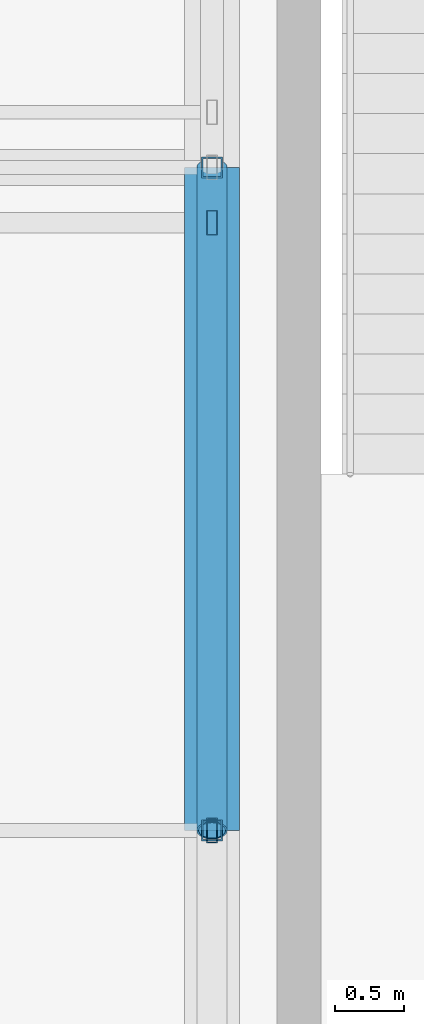
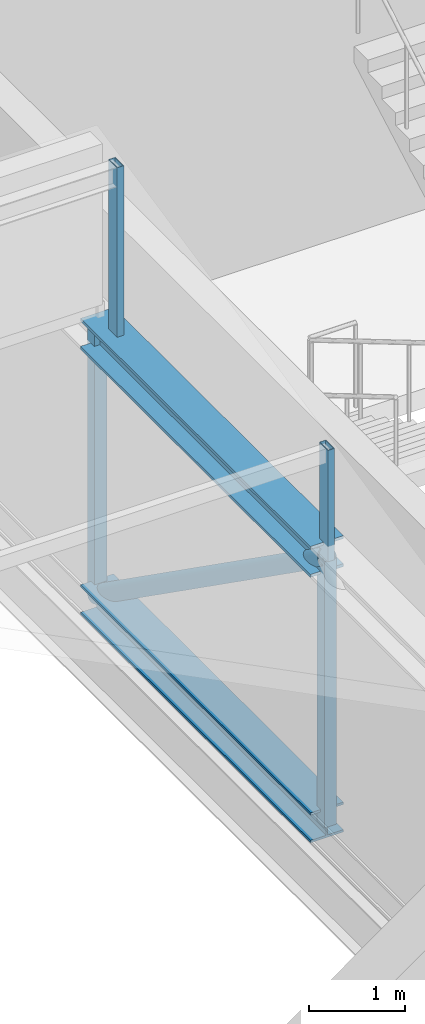
# One storey, part 63 of 136: 5 members, 2 beams.
"""IFC4 building model written with IfcOpenShell, lengths in metres."""

import ifcopenshell
import ifcopenshell.guid

model = None  # the IFC model being written
_history = None  # IfcOwnerHistory: only IFC2X3 demands one
_inside = {}  # id of a spatial element -> (the spatial element, [elements in it])
_under = {}  # id of a project, library or spatial element -> (it, [spatial elements below it])
_declared = {}  # id of a project -> (the project, [libraries it declares])
_typed = {}  # id of a type object -> (the type object, [elements of that type])
_made_of = {}  # id of a material, layer set ... -> (it, [elements and type objects made of it])


def new_model(schema):
    """Start an empty IFC model of exactly this schema.

    Asked for "IFC4X3", IfcOpenShell would pick the latest addendum, in which some entities
    have other attributes; the version numbers below select the first issue.
    IFC2X3 requires an IfcOwnerHistory on every rooted entity: one is made here for all.
    """
    global model, _history
    if schema == "IFC4X3":
        model = ifcopenshell.file(schema_version=(4, 3, 0, 0))
    else:
        model = ifcopenshell.file(schema=schema)
    _inside.clear()
    _under.clear()
    _declared.clear()
    _typed.clear()
    _made_of.clear()
    _history = None
    if model.schema == "IFC2X3":
        org = make("IfcOrganization", Name="unknown")
        user = make(
            "IfcPersonAndOrganization",
            ThePerson=make("IfcPerson", FamilyName="unknown"),
            TheOrganization=org,
        )
        app = make(
            "IfcApplication",
            ApplicationDeveloper=org,
            Version="unknown",
            ApplicationFullName="unknown",
            ApplicationIdentifier="unknown",
        )
        _history = make(
            "IfcOwnerHistory",
            OwningUser=user,
            OwningApplication=app,
            ChangeAction="ADDED",
            CreationDate=0,
        )
    return model


def make(cls, **values):
    """One entity of the class cls with the attributes given. An attribute that is None is left unset."""
    return model.create_entity(
        cls, **{name: value for name, value in values.items() if value is not None}
    )


def rooted(cls, **values):
    """An entity with a GlobalId (a new one), such as an element, a storey or a relation."""
    return make(cls, GlobalId=ifcopenshell.guid.new(), OwnerHistory=_history, **values)


def si_unit(unit_type, name, prefix=None):
    """IfcSIUnit, for example si_unit("LENGTHUNIT", "METRE", prefix="MILLI")."""
    return make("IfcSIUnit", UnitType=unit_type, Prefix=prefix, Name=name)


def assignment(units):
    """IfcUnitAssignment: the units of a project."""
    return None if units is None else make("IfcUnitAssignment", Units=units)


def point(xyz):
    """IfcCartesianPoint."""
    return None if xyz is None else make("IfcCartesianPoint", Coordinates=xyz)


def direction(xyz):
    """IfcDirection."""
    return None if xyz is None else make("IfcDirection", DirectionRatios=xyz)


def frame(location, z_axis=None, x_axis=None):
    """IfcAxis2Placement3D, a coordinate frame: its origin and axes. An axis left out is left unset."""
    return make(
        "IfcAxis2Placement3D",
        Location=point(location),
        Axis=direction(z_axis),
        RefDirection=direction(x_axis),
    )


def frame_2d(location, x_axis=None):
    """IfcAxis2Placement2D, a coordinate frame in the plane: its origin and x axis."""
    return make(
        "IfcAxis2Placement2D", Location=point(location), RefDirection=direction(x_axis)
    )


def origin():
    """The frame at (0, 0, 0) with its axes left unset."""
    return frame((0.0, 0.0, 0.0))


def origin_2d():
    """The frame at (0, 0) in the plane with its x axis left unset."""
    return frame_2d((0.0, 0.0))


def place(relative_to, where):
    """IfcLocalPlacement: puts the frame where relative to a parent placement (None: the world)."""
    return make(
        "IfcLocalPlacement", PlacementRelTo=relative_to, RelativePlacement=where
    )


def context(
    kind, dimensions, precision=None, world=None, true_north=None, identifier=None
):
    """IfcGeometricRepresentationContext, for example the 3D "Model" context."""
    return make(
        "IfcGeometricRepresentationContext",
        ContextIdentifier=identifier,
        ContextType=kind,
        CoordinateSpaceDimension=dimensions,
        Precision=precision,
        WorldCoordinateSystem=world,
        TrueNorth=true_north,
    )


def subcontext(parent, identifier, kind, view, scale=None):
    """IfcGeometricRepresentationSubContext, for example "Body" below "Model"."""
    return make(
        "IfcGeometricRepresentationSubContext",
        ContextIdentifier=identifier,
        ContextType=kind,
        ParentContext=parent,
        TargetScale=scale,
        TargetView=view,
    )


def project(units=None, contexts=None):
    """IfcProject with its units and contexts."""
    return rooted(
        "IfcProject",
        Name="project",
        RepresentationContexts=contexts,
        UnitsInContext=assignment(units),
    )


def spatial(cls, under=None, at=None, **own):
    """A site, building, storey or space (cls), placed at a placement, below another one or the project."""
    s = rooted(cls, ObjectPlacement=at, **own)
    if under is not None:
        _under.setdefault(under.id(), (under, []))[1].append(s)
    return s


def profile(cls, at=None, kind="AREA", **sizes):
    """A parametric profile (cls). Its sizes go by their IFC names, for example OverallWidth=200.0."""
    return make(cls, ProfileType=kind, Position=at, **sizes)


def hollow_rectangle(**sizes):
    """IfcRectangleHollowProfileDef."""
    return profile("IfcRectangleHollowProfileDef", **sizes)


def hollow_circle(**sizes):
    """IfcCircleHollowProfileDef."""
    return profile("IfcCircleHollowProfileDef", **sizes)


def i_section(**sizes):
    """IfcIShapeProfileDef."""
    return profile("IfcIShapeProfileDef", **sizes)


def extrude(swept, where, along, depth):
    """IfcExtrudedAreaSolid: the profile swept, set in the frame where, extruded along a direction by depth."""
    return make(
        "IfcExtrudedAreaSolid",
        SweptArea=swept,
        Position=where,
        ExtrudedDirection=direction(along),
        Depth=depth,
    )


def shape(context_of_items, identifier, shape_type, items):
    """IfcShapeRepresentation: the items that make up one representation, for example the "Body"."""
    return make(
        "IfcShapeRepresentation",
        ContextOfItems=context_of_items,
        RepresentationIdentifier=identifier,
        RepresentationType=shape_type,
        Items=items,
    )


def material(Name=None, Category=None):
    """IfcMaterial."""
    return make("IfcMaterial", Name=Name, Category=Category)


def material_profile(
    of_material, cross_section, Name=None, Category=None, Priority=None
):
    """IfcMaterialProfile: a cross section and its material."""
    return make(
        "IfcMaterialProfile",
        Name=Name,
        Material=of_material,
        Profile=cross_section,
        Priority=Priority,
        Category=Category,
    )


def profile_set(profiles, Name=None, composite=None):
    """IfcMaterialProfileSet."""
    return make(
        "IfcMaterialProfileSet",
        Name=Name,
        MaterialProfiles=profiles,
        CompositeProfile=composite,
    )


def made_of(thing, what):
    """Note that an element or type object is made of a material, layer set ...; save() writes the relation."""
    if what is not None:
        _made_of.setdefault(what.id(), (what, []))[1].append(thing)
    return thing


def type_object(cls, material=None, **own):
    """A type object (cls), such as IfcWallType, which elements share."""
    return made_of(rooted(cls, **own), material)


def element(
    cls,
    number,
    at=None,
    inside=None,
    cuts=None,
    type_object=None,
    material=None,
    context=None,
    identifier="Body",
    shape_type=None,
    held_by="IfcProductDefinitionShape",
    body=None,
    shapes=None,
    **own,
):
    """One element of the class cls, such as IfcWall. Its Tag is "e" and its number.

    at: its placement. inside: the storey or other place that contains it. cuts: it is an
    opening in that element (IfcRelVoidsElement). A single representation is given by context,
    identifier, shape_type and body (its items); several are given by shapes. held_by: the class
    of the entity that holds the representations. save() writes the other relations.
    """
    e = rooted(cls, Tag="e%d" % number, ObjectPlacement=at, **own)
    if body is not None:
        shapes = [shape(context, identifier, shape_type, body)]
    if shapes is not None:
        e.Representation = make(held_by, Representations=shapes)
    if inside is not None:
        _inside.setdefault(inside.id(), (inside, []))[1].append(e)
    if cuts is not None:
        rooted(
            "IfcRelVoidsElement", RelatingBuildingElement=cuts, RelatedOpeningElement=e
        )
    if type_object is not None:
        _typed.setdefault(type_object.id(), (type_object, []))[1].append(e)
    return made_of(e, material)


def aggregate(whole, parts):
    """IfcRelAggregates: a whole, such as a stair, and the parts it consists of."""
    return rooted("IfcRelAggregates", RelatingObject=whole, RelatedObjects=parts)


def save(model, path):
    """Write the relations noted so far, then the file.

    IfcRelAggregates (storeys below a building ...), IfcRelContainedInSpatialStructure (elements
    in a storey), IfcRelDefinesByType, IfcRelAssociatesMaterial and IfcRelDeclares: one each for
    every whole, place, type object, material and project.
    """
    for whole, parts in _under.values():
        aggregate(whole, parts)
    for where, things in _inside.values():
        rooted(
            "IfcRelContainedInSpatialStructure",
            RelatedElements=things,
            RelatingStructure=where,
        )
    for kind, things in _typed.values():
        rooted("IfcRelDefinesByType", RelatedObjects=things, RelatingType=kind)
    for what, things in _made_of.values():
        rooted("IfcRelAssociatesMaterial", RelatedObjects=things, RelatingMaterial=what)
    for by, libraries in _declared.values():
        rooted("IfcRelDeclares", RelatingContext=by, RelatedDefinitions=libraries)
    model.write(path)


model = new_model("IFC4")

# Units and contexts
model_context = context("Model", 3, precision=1e-05, world=origin(), true_north=direction((0.0, 1.0)))
body_context = subcontext(model_context, "Body", "Model", "MODEL_VIEW")
ifc_project = project(units=[si_unit("LENGTHUNIT", "METRE"), si_unit("AREAUNIT", "SQUARE_METRE"), si_unit("VOLUMEUNIT", "CUBIC_METRE"), si_unit("PLANEANGLEUNIT", "RADIAN"), si_unit("MASSUNIT", "GRAM", prefix="KILO")], contexts=[model_context])

# Site, building, storey
site_placement = place(None, origin())
site = spatial("IfcSite", under=ifc_project, at=site_placement, CompositionType="ELEMENT")
building_placement = place(site_placement, origin())
building = spatial("IfcBuilding", under=site, at=building_placement, Name="Kisiwana Market Hall", CompositionType="ELEMENT")
storey_placement = place(building_placement, frame((0.0, 0.0, 16.800048828125)))
storey = spatial("IfcBuildingStorey", under=building, at=storey_placement, Name="L03", CompositionType="ELEMENT", Elevation=16.800048828125)

# Beams
ifc_material_1 = material(Name="Steel S355", Category="steel")
ifc_material_profile_1 = material_profile(ifc_material_1, i_section(OverallWidth=0.394775390625, OverallDepth=0.381103515625, WebThickness=0.018310546875, FlangeThickness=0.0302734375, at=origin_2d()), Name="UC 356x406x235")
ifc_profile_set_1 = profile_set([ifc_material_profile_1], Name="Steel S355")
beam_type_1 = type_object("IfcBeamType", Name="BM-TRUSS-BOT", PredefinedType="USERDEFINED", material=ifc_profile_set_1)
beam_1_placement = place(storey_placement, frame((153.0, 40.800048828125, 0.22998046875), z_axis=(0.0, 1.0, 0.0), x_axis=(-1.0, 0.0, 0.0)))
element("IfcBeam", 1, at=beam_1_placement, inside=storey, type_object=beam_type_1, Name="TR-08 BC panel 2 B-1319", ObjectType="ROOF TRUSS", PredefinedType="USERDEFINED", context=body_context, shape_type="SweptSolid", body=[
    extrude(i_section(OverallWidth=0.394775390625, OverallDepth=0.381103515625, WebThickness=0.018310546875, FlangeThickness=0.0302734375, at=origin_2d()), origin(), (0.0, 0.0, 1.0), 4.800048828125),
])
ifc_material_2 = material(Name="Steel S355", Category="steel")
ifc_material_profile_2 = material_profile(ifc_material_2, i_section(OverallWidth=0.39892578125, OverallDepth=0.3935546875, WebThickness=0.022705078125, FlangeThickness=0.03662109375, at=origin_2d()), Name="UC 356x406x287")
ifc_profile_set_2 = profile_set([ifc_material_profile_2], Name="Steel S355")
beam_type_2 = type_object("IfcBeamType", Name="BM-TRUSS-TOP", PredefinedType="USERDEFINED", material=ifc_profile_set_2)
beam_2_placement = place(storey_placement, frame((153.0, 40.800048828125, 3.619873046875), z_axis=(0.0, 1.0, 0.0), x_axis=(-1.0, 0.0, 0.0)))
element("IfcBeam", 2, at=beam_2_placement, inside=storey, type_object=beam_type_2, Name="TR-08 TC panel 2 B-1329", ObjectType="ROOF TRUSS", PredefinedType="USERDEFINED", context=body_context, shape_type="SweptSolid", body=[
    extrude(i_section(OverallWidth=0.39892578125, OverallDepth=0.3935546875, WebThickness=0.022705078125, FlangeThickness=0.03662109375, at=origin_2d()), origin(), (0.0, 0.0, 1.0), 4.800048828125),
])

# Members
ifc_material_3 = material(Name="Steel S355", Category="steel")
ifc_material_profile_3 = material_profile(ifc_material_3, hollow_rectangle(XDim=0.080078125, YDim=0.179931640625, WallThickness=0.00634765625, at=origin_2d()), Name="RHS 180x80x6.3")
ifc_profile_set_3 = profile_set([ifc_material_profile_3], Name="Steel S355")
member_type_1 = type_object("IfcMemberType", Name="MB-CAN-STRUT", PredefinedType="STRUT", material=ifc_profile_set_3)
member_1_placement = place(storey_placement, frame((153.0, 45.199951171875, 3.619873046875), z_axis=(0.0, 0.0, 1.0), x_axis=(1.0, 0.0, 0.0)))
element("IfcMember", 3, at=member_1_placement, inside=storey, type_object=member_type_1, Name="Sawtooth raker post 175 M-0246", PredefinedType="STRUT", context=body_context, shape_type="SweptSolid", body=[
    extrude(hollow_rectangle(XDim=0.080078125, YDim=0.179931640625, WallThickness=0.00634765625, at=origin_2d()), origin(), (0.0, 0.0, 1.0), 2.355712890625),
])
member_2_placement = place(storey_placement, frame((153.0, 40.800048828125, 3.619873046875), z_axis=(0.0, 0.0, 1.0), x_axis=(1.0, 0.0, 0.0)))
element("IfcMember", 4, at=member_2_placement, inside=storey, type_object=member_type_1, Name="Sawtooth mid-slope raker post 8 M-0060", PredefinedType="STRUT", context=body_context, shape_type="SweptSolid", body=[
    extrude(hollow_rectangle(XDim=0.080078125, YDim=0.179931640625, WallThickness=0.00634765625, at=origin_2d()), origin(), (0.0, 0.0, 1.0), 1.42041015625),
])
ifc_material_4 = material(Name="Steel S355", Category="steel")
ifc_material_profile_4 = material_profile(ifc_material_4, hollow_circle(Radius=0.109619140625, WallThickness=0.012451171875, at=origin_2d()), Name="CHS 219.1x12.5")
ifc_profile_set_4 = profile_set([ifc_material_profile_4], Name="Steel S355")
member_type_2 = type_object("IfcMemberType", Name="MB-TR-DIAG219", PredefinedType="BRACE", material=ifc_profile_set_4)
member_3_placement = place(storey_placement, frame((153.0, 40.800048828125, 3.619873046875), z_axis=(0.0, 0.816837735077, -0.576867501732), x_axis=(-1.0, 0.0, 0.0)))
element("IfcMember", 5, at=member_3_placement, inside=storey, type_object=member_type_2, Name="TR-08 diagonal 2 M-0470", PredefinedType="BRACE", context=body_context, shape_type="SweptSolid", body=[
    extrude(hollow_circle(Radius=0.109619140625, WallThickness=0.012451171875, at=origin_2d()), origin(), (0.0, 0.0, 1.0), 5.87646484375),
])
ifc_material_5 = material(Name="Steel S355", Category="steel")
ifc_material_profile_5 = material_profile(ifc_material_5, hollow_rectangle(XDim=0.14990234375, YDim=0.14990234375, WallThickness=0.008056640625, at=origin_2d()), Name="SHS 150x150x8.0")
ifc_profile_set_5 = profile_set([ifc_material_profile_5], Name="Steel S355")
member_type_3 = type_object("IfcMemberType", Name="MB-TR-STRUT200", PredefinedType="STRUT", material=ifc_profile_set_5)
for number, where, z_axis, x_axis, name in (
    (6, (153.0, 40.800048828125, 0.22998046875), (0.0, 0.0, 1.0), (1.0, 0.0, 0.0), "TR-08 vertical strut 2 M-0479"),
    (7, (153.0, 45.60009765625, 0.22998046875), (0.0, 0.0, 1.0), (1.0, 0.0, 0.0), "TR-08 vertical strut 3 M-0480"),
):
    element("IfcMember", number, at=place(storey_placement, frame(where, z_axis=z_axis, x_axis=x_axis)), inside=storey, type_object=member_type_3, Name=name, PredefinedType="STRUT", context=body_context, shape_type="SweptSolid", body=[
        extrude(hollow_rectangle(XDim=0.14990234375, YDim=0.14990234375, WallThickness=0.008056640625, at=origin_2d()), origin(), (0.0, 0.0, 1.0), 3.389892578125),
    ])

save(model, "model.ifc")
